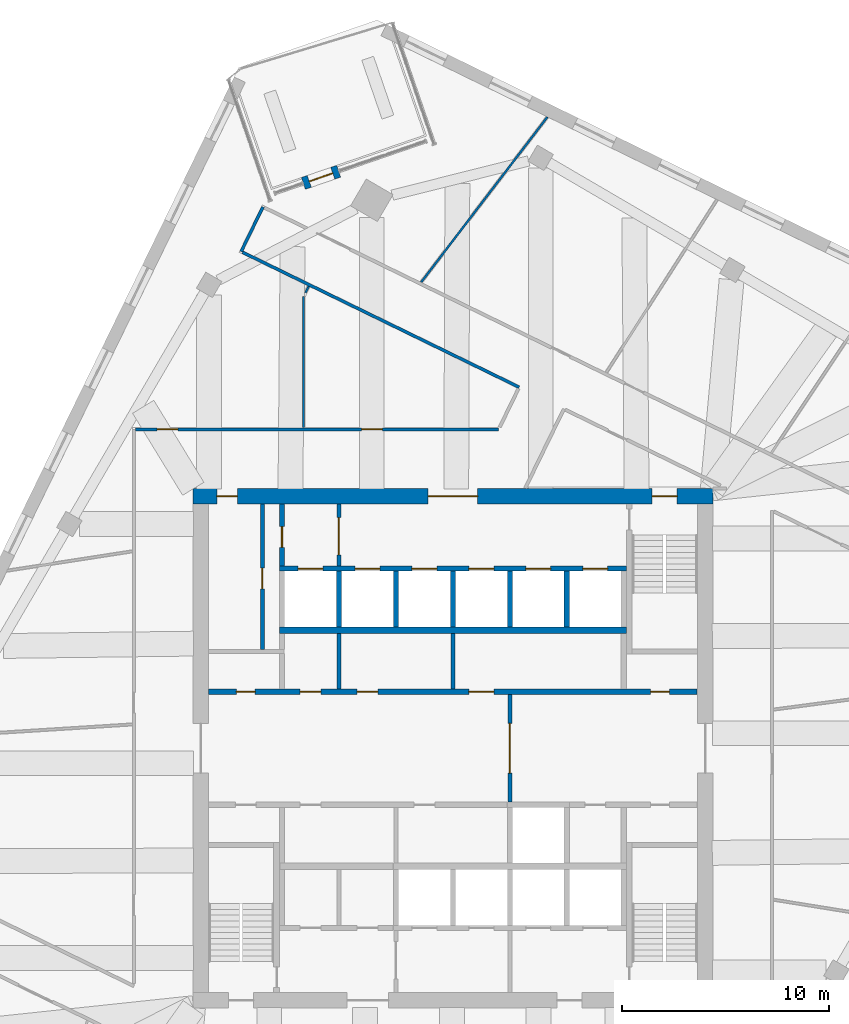
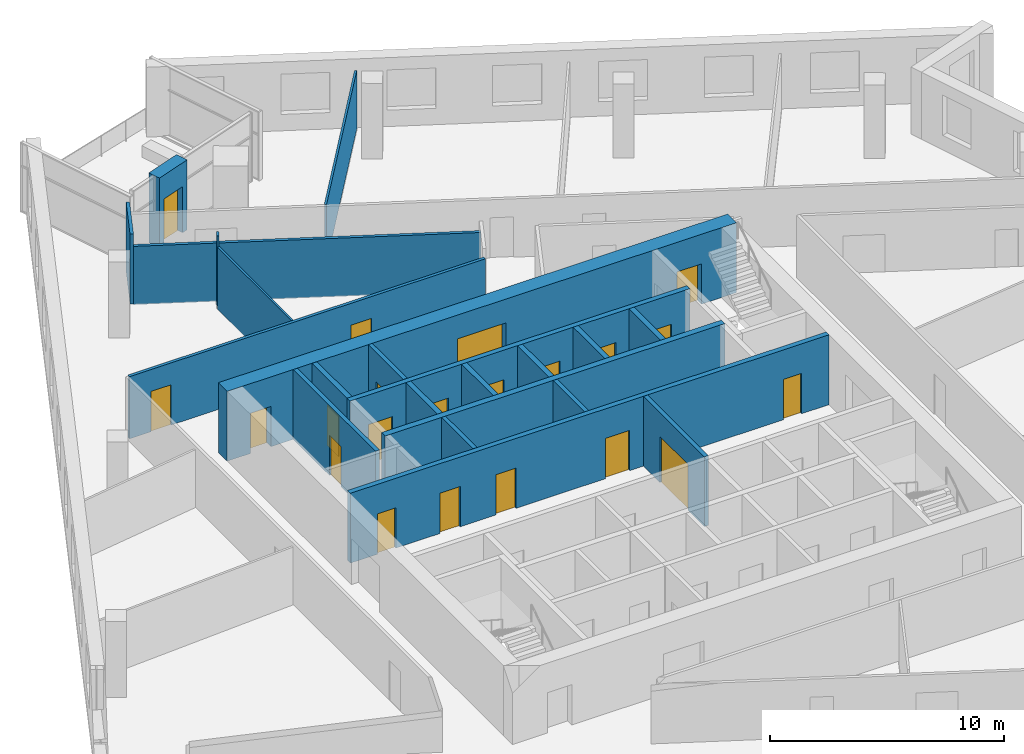
# One storey, part 9 of 13: 22 walls, 21 doors, 21 openings.
"""IFC4 building model written with IfcOpenShell, lengths in metres."""

from ifc_helpers import new_model, si_unit, direction, frame, frame_2d, origin, place, context, subcontext, project, spatial, rectangle, extrude, material, layer, layer_set, type_object, element, fill, save


model = new_model("IFC4")

# Units and contexts
model_context = context("Model", 3, precision=1e-05, world=origin(), true_north=direction((0.0, 1.0)))
body_context = subcontext(model_context, "Body", "Model", "MODEL_VIEW")
ifc_project = project(units=[si_unit("LENGTHUNIT", "METRE"), si_unit("AREAUNIT", "SQUARE_METRE"), si_unit("VOLUMEUNIT", "CUBIC_METRE"), si_unit("PLANEANGLEUNIT", "RADIAN"), si_unit("MASSUNIT", "GRAM", prefix="KILO")], contexts=[model_context])

# Site, building, storey
site_placement = place(None, origin())
site = spatial("IfcSite", under=ifc_project, at=site_placement, CompositionType="ELEMENT")
building_placement = place(site_placement, origin())
building = spatial("IfcBuilding", under=site, at=building_placement, Name="Dilmun Exchange Tower", CompositionType="ELEMENT")
storey_placement = place(building_placement, frame((0.0, 0.0, 286.89990234375)))
storey = spatial("IfcBuildingStorey", under=building, at=storey_placement, Name="L68", CompositionType="ELEMENT", Elevation=286.89990234375)

# Wall, opening, door
ifc_material_1 = material(Name="Concrete C40/50", Category="concrete")
ifc_layer_1 = layer(ifc_material_1, 0.199951171875)
ifc_layer_set_1 = layer_set([ifc_layer_1], Name="Concrete C40/50")
wall_type_1 = type_object("IfcWallType", Name="Core partition wall 200", PredefinedType="PARTITIONING", material=ifc_layer_set_1)
wall_1_placement = place(storey_placement, frame((2.75, -2.594970703125, 0.0), z_axis=(0.0, 0.0, 1.0), x_axis=(0.0, 1.0, 0.0)))
wall_1 = element("IfcWall", 1, at=wall_1_placement, inside=storey, type_object=wall_type_1, Name="L68 core partition wall 12", PredefinedType="PARTITIONING", context=body_context, shape_type="SweptSolid", body=[
    extrude(rectangle(XDim=5.18994140625, YDim=0.199951171875, at=frame_2d((2.594970703125, 0.0))), origin(), (0.0, 0.0, 1.0), 3.64013671875),
])
opening_1_placement = place(wall_1_placement, frame((1.39501953125, 0.0, 0.0)))
opening_1 = element("IfcOpeningElement", 2, at=opening_1_placement, cuts=wall_1, Name="Opening CD1", PredefinedType="OPENING", context=body_context, shape_type="SweptSolid", body=[
    extrude(rectangle(XDim=2.39990234375, YDim=2.39990234375, at=frame_2d((1.199951171875, 1.199951171875))), frame((0.0, 0.10986328125, 0.0), z_axis=(0.0, -1.0, 0.0), x_axis=(1.0, 0.0, 0.0)), (0.0, 0.0, 1.0), 0.219970703125),
])
ifc_material_2 = material(Name="Fire-rated steel door set", Category="steel")
door_type_1 = type_object("IfcDoorType", Name="Core lobby door 2400x2400", OperationType="DOUBLE_DOOR_DOUBLE_SWING", PredefinedType="DOOR", material=ifc_material_2)
door_1_placement = place(opening_1_placement, origin())
door_1 = element("IfcDoor", 3, at=door_1_placement, inside=storey, type_object=door_type_1, Name="L68 door Lift lobby east", OperationType="SINGLE_SWING_LEFT", OverallHeight=2.39990234375, OverallWidth=2.39990234375, PredefinedType="DOOR", context=body_context, shape_type="SweptSolid", body=[
    extrude(rectangle(XDim=2.39990234375, YDim=2.39990234375, at=frame_2d((1.199951171875, 1.199951171875))), frame((0.0, 0.02490234375, 0.0), z_axis=(0.0, -1.0, 0.0), x_axis=(1.0, 0.0, 0.0)), (0.0, 0.0, 1.0), 0.050048828125),
])
fill(opening_1, door_1)

# Walls
for number, where, z_axis, x_axis, name in (
    (4, (-5.5, 2.85498046875, 0.0), (0.0, 0.0, 1.0), (0.0, 1.0, 0.0), "L68 core partition wall 15"),
    (5, (0.0, 2.85498046875, 0.0), (0.0, 0.0, 1.0), (0.0, 1.0, 0.0), "L68 core partition wall 16"),
):
    element("IfcWall", number, at=place(storey_placement, frame(where, z_axis=z_axis, x_axis=x_axis)), inside=storey, type_object=wall_type_1, Name=name, PredefinedType="PARTITIONING", context=body_context, shape_type="SweptSolid", body=[
        extrude(rectangle(XDim=2.68994140625, YDim=0.199951171875, at=frame_2d((1.344970703125, 0.0))), origin(), (0.0, 0.0, 1.0), 3.64013671875),
    ])

# Wall, opening, door
wall_2_placement = place(storey_placement, frame((-9.199951171875, 4.780029296875, 0.0), z_axis=(0.0, 0.0, 1.0), x_axis=(0.0, 1.0, 0.0)))
wall_2 = element("IfcWall", 6, at=wall_2_placement, inside=storey, type_object=wall_type_1, Name="L68 core partition wall 19", PredefinedType="PARTITIONING", context=body_context, shape_type="SweptSolid", body=[
    extrude(rectangle(XDim=7.014892578125, YDim=0.199951171875, at=frame_2d((3.50732421875, 0.0))), origin(), (0.0, 0.0, 1.0), 3.64013671875),
])
opening_2_placement = place(wall_2_placement, frame((2.919921875, 0.0, 0.0)))
opening_2 = element("IfcOpeningElement", 7, at=opening_2_placement, cuts=wall_2, Name="Opening CD4", PredefinedType="OPENING", context=body_context, shape_type="SweptSolid", body=[
    extrude(rectangle(XDim=1.0, YDim=2.10009765625, at=frame_2d((0.5, 1.050048828125))), frame((0.0, 0.10986328125, 0.0), z_axis=(0.0, -1.0, 0.0), x_axis=(1.0, 0.0, 0.0)), (0.0, 0.0, 1.0), 0.219970703125),
])
door_type_2 = type_object("IfcDoorType", Name="Core room door 1000x2100", OperationType="SINGLE_SWING_LEFT", PredefinedType="DOOR", material=ifc_material_2)
door_2_placement = place(opening_2_placement, origin())
door_2 = element("IfcDoor", 8, at=door_2_placement, inside=storey, type_object=door_type_2, Name="L68 door Fire safety store", OperationType="SINGLE_SWING_LEFT", OverallHeight=2.10009765625, OverallWidth=1.0, PredefinedType="DOOR", context=body_context, shape_type="SweptSolid", body=[
    extrude(rectangle(XDim=1.0, YDim=2.10009765625, at=frame_2d((0.5, 1.050048828125))), frame((0.0, 0.02490234375, 0.0), z_axis=(0.0, -1.0, 0.0), x_axis=(1.0, 0.0, 0.0)), (0.0, 0.0, 1.0), 0.050048828125),
])
fill(opening_2, door_2)

wall_3_placement = place(storey_placement, frame((-5.5, 8.804931640625, 0.0), z_axis=(0.0, 0.0, 1.0), x_axis=(0.0, 1.0, 0.0)))
wall_3 = element("IfcWall", 9, at=wall_3_placement, inside=storey, type_object=wall_type_1, Name="L68 core partition wall 22", PredefinedType="PARTITIONING", context=body_context, shape_type="SweptSolid", body=[
    extrude(rectangle(XDim=2.989990234375, YDim=0.199951171875, at=frame_2d((1.4951171875, 0.0))), origin(), (0.0, 0.0, 1.0), 3.64013671875),
])
opening_3_placement = place(wall_3_placement, frame((0.532470703125, 0.0, 0.0)))
opening_3 = element("IfcOpeningElement", 10, at=opening_3_placement, cuts=wall_3, Name="Opening CD5", PredefinedType="OPENING", context=body_context, shape_type="SweptSolid", body=[
    extrude(rectangle(XDim=1.800048828125, YDim=2.10009765625, at=frame_2d((0.89990234375, 1.050048828125))), frame((0.0, 0.10986328125, 0.0), z_axis=(0.0, -1.0, 0.0), x_axis=(1.0, 0.0, 0.0)), (0.0, 0.0, 1.0), 0.219970703125),
])
door_type_3 = type_object("IfcDoorType", Name="Stair exit door 1800x2100", OperationType="SINGLE_SWING_LEFT", PredefinedType="DOOR", material=ifc_material_2)
door_3_placement = place(opening_3_placement, origin())
door_3 = element("IfcDoor", 11, at=door_3_placement, inside=storey, type_object=door_type_3, Name="L68 door Lift lobby east", OperationType="SINGLE_SWING_LEFT", OverallHeight=2.10009765625, OverallWidth=1.800048828125, PredefinedType="DOOR", context=body_context, shape_type="SweptSolid", body=[
    extrude(rectangle(XDim=1.800048828125, YDim=2.10009765625, at=frame_2d((0.89990234375, 1.050048828125))), frame((0.0, 0.02490234375, 0.0), z_axis=(0.0, -1.0, 0.0), x_axis=(1.0, 0.0, 0.0)), (0.0, 0.0, 1.0), 0.050048828125),
])
fill(opening_3, door_3)

# Wall, openings, doors
ifc_layer_2 = layer(ifc_material_1, 0.25)
ifc_layer_set_2 = layer_set([ifc_layer_2], Name="Concrete C40/50")
wall_type_2 = type_object("IfcWallType", Name="Core partition wall 250", PredefinedType="PARTITIONING", material=ifc_layer_set_2)
wall_4_placement = place(storey_placement, frame((-11.794921875, 2.72509765625, 0.0), z_axis=(0.0, 0.0, 1.0), x_axis=(1.0, 0.0, 0.0)))
wall_4 = element("IfcWall", 12, at=wall_4_placement, inside=storey, type_object=wall_type_2, Name="L68 core partition wall 13", PredefinedType="PARTITIONING", context=body_context, shape_type="SweptSolid", body=[
    extrude(rectangle(XDim=23.58984375, YDim=0.25, at=frame_2d((11.794921875, 0.0))), origin(), (0.0, 0.0, 1.0), 3.64013671875),
])
opening_4_placement = place(wall_4_placement, frame((21.344970703125, 0.0, 0.0)))
opening_4 = element("IfcOpeningElement", 13, at=opening_4_placement, cuts=wall_4, Name="Opening CD6", PredefinedType="OPENING", context=body_context, shape_type="SweptSolid", body=[
    extrude(rectangle(XDim=0.89990234375, YDim=2.10009765625, at=frame_2d((0.449951171875, 1.050048828125))), frame((0.0, 0.135009765625, 0.0), z_axis=(0.0, -1.0, 0.0), x_axis=(1.0, 0.0, 0.0)), (0.0, 0.0, 1.0), 0.27001953125),
])
opening_5_placement = place(wall_4_placement, frame((1.344970703125, 0.0, 0.0)))
opening_5 = element("IfcOpeningElement", 14, at=opening_5_placement, cuts=wall_4, Name="Opening CD6", PredefinedType="OPENING", context=body_context, shape_type="SweptSolid", body=[
    extrude(rectangle(XDim=0.89990234375, YDim=2.10009765625, at=frame_2d((0.449951171875, 1.050048828125))), frame((0.0, 0.135009765625, 0.0), z_axis=(0.0, -1.0, 0.0), x_axis=(1.0, 0.0, 0.0)), (0.0, 0.0, 1.0), 0.27001953125),
])
opening_6_placement = place(wall_4_placement, frame((4.419921875, 0.0, 0.0)))
opening_6 = element("IfcOpeningElement", 15, at=opening_6_placement, cuts=wall_4, Name="Opening CD4", PredefinedType="OPENING", context=body_context, shape_type="SweptSolid", body=[
    extrude(rectangle(XDim=1.0, YDim=2.10009765625, at=frame_2d((0.5, 1.050048828125))), frame((0.0, 0.135009765625, 0.0), z_axis=(0.0, -1.0, 0.0), x_axis=(1.0, 0.0, 0.0)), (0.0, 0.0, 1.0), 0.27001953125),
])
opening_7_placement = place(wall_4_placement, frame((7.169921875, 0.0, 0.0)))
opening_7 = element("IfcOpeningElement", 16, at=opening_7_placement, cuts=wall_4, Name="Opening CD4", PredefinedType="OPENING", context=body_context, shape_type="SweptSolid", body=[
    extrude(rectangle(XDim=1.0, YDim=2.10009765625, at=frame_2d((0.5, 1.050048828125))), frame((0.0, 0.135009765625, 0.0), z_axis=(0.0, -1.0, 0.0), x_axis=(1.0, 0.0, 0.0)), (0.0, 0.0, 1.0), 0.27001953125),
])
opening_8_placement = place(wall_4_placement, frame((12.570068359375, 0.0, 0.0)))
opening_8 = element("IfcOpeningElement", 17, at=opening_8_placement, cuts=wall_4, Name="Opening CD3", PredefinedType="OPENING", context=body_context, shape_type="SweptSolid", body=[
    extrude(rectangle(XDim=1.199951171875, YDim=2.10009765625, at=frame_2d((0.60009765625, 1.050048828125))), frame((0.0, 0.135009765625, 0.0), z_axis=(0.0, -1.0, 0.0), x_axis=(1.0, 0.0, 0.0)), (0.0, 0.0, 1.0), 0.27001953125),
])
door_4_placement = place(opening_6_placement, origin())
door_4 = element("IfcDoor", 18, at=door_4_placement, inside=storey, type_object=door_type_2, Name="L68 door Electrical room", OperationType="SINGLE_SWING_LEFT", OverallHeight=2.10009765625, OverallWidth=1.0, PredefinedType="DOOR", context=body_context, shape_type="SweptSolid", body=[
    extrude(rectangle(XDim=1.0, YDim=2.10009765625, at=frame_2d((0.5, 1.050048828125))), frame((0.0, 0.02490234375, 0.0), z_axis=(0.0, -1.0, 0.0), x_axis=(1.0, 0.0, 0.0)), (0.0, 0.0, 1.0), 0.050048828125),
])
fill(opening_6, door_4)
door_5_placement = place(opening_7_placement, origin())
door_5 = element("IfcDoor", 19, at=door_5_placement, inside=storey, type_object=door_type_2, Name="L68 door Tenant services room", OperationType="SINGLE_SWING_LEFT", OverallHeight=2.10009765625, OverallWidth=1.0, PredefinedType="DOOR", context=body_context, shape_type="SweptSolid", body=[
    extrude(rectangle(XDim=1.0, YDim=2.10009765625, at=frame_2d((0.5, 1.050048828125))), frame((0.0, 0.02490234375, 0.0), z_axis=(0.0, -1.0, 0.0), x_axis=(1.0, 0.0, 0.0)), (0.0, 0.0, 1.0), 0.050048828125),
])
fill(opening_7, door_5)
door_type_4 = type_object("IfcDoorType", Name="Core room door 900x2100", OperationType="SINGLE_SWING_LEFT", PredefinedType="DOOR", material=ifc_material_2)
door_6_placement = place(opening_4_placement, origin())
door_6 = element("IfcDoor", 20, at=door_6_placement, inside=storey, type_object=door_type_4, Name="L68 door Electrical riser", OperationType="SINGLE_SWING_LEFT", OverallHeight=2.10009765625, OverallWidth=0.89990234375, PredefinedType="DOOR", context=body_context, shape_type="SweptSolid", body=[
    extrude(rectangle(XDim=0.89990234375, YDim=2.10009765625, at=frame_2d((0.449951171875, 1.050048828125))), frame((0.0, 0.02490234375, 0.0), z_axis=(0.0, -1.0, 0.0), x_axis=(1.0, 0.0, 0.0)), (0.0, 0.0, 1.0), 0.050048828125),
])
fill(opening_4, door_6)
door_7_placement = place(opening_5_placement, origin())
door_7 = element("IfcDoor", 21, at=door_7_placement, inside=storey, type_object=door_type_4, Name="L68 door Plumbing riser", OperationType="SINGLE_SWING_LEFT", OverallHeight=2.10009765625, OverallWidth=0.89990234375, PredefinedType="DOOR", context=body_context, shape_type="SweptSolid", body=[
    extrude(rectangle(XDim=0.89990234375, YDim=2.10009765625, at=frame_2d((0.449951171875, 1.050048828125))), frame((0.0, 0.02490234375, 0.0), z_axis=(0.0, -1.0, 0.0), x_axis=(1.0, 0.0, 0.0)), (0.0, 0.0, 1.0), 0.050048828125),
])
fill(opening_5, door_7)
door_type_5 = type_object("IfcDoorType", Name="Stair exit door 1200x2100", OperationType="SINGLE_SWING_LEFT", PredefinedType="DOOR", material=ifc_material_2)
door_8_placement = place(opening_8_placement, origin())
door_8 = element("IfcDoor", 22, at=door_8_placement, inside=storey, type_object=door_type_5, Name="L68 door Tenant amenity store", OperationType="SINGLE_SWING_LEFT", OverallHeight=2.10009765625, OverallWidth=1.199951171875, PredefinedType="DOOR", context=body_context, shape_type="SweptSolid", body=[
    extrude(rectangle(XDim=1.199951171875, YDim=2.10009765625, at=frame_2d((0.60009765625, 1.050048828125))), frame((0.0, 0.02490234375, 0.0), z_axis=(0.0, -1.0, 0.0), x_axis=(1.0, 0.0, 0.0)), (0.0, 0.0, 1.0), 0.050048828125),
])
fill(opening_8, door_8)

# Wall, opening, door
wall_5_placement = place(storey_placement, frame((-8.25, 8.804931640625, 0.0), z_axis=(0.0, 0.0, 1.0), x_axis=(0.0, 1.0, 0.0)))
wall_5 = element("IfcWall", 23, at=wall_5_placement, inside=storey, type_object=wall_type_2, Name="L68 core partition wall 21", PredefinedType="PARTITIONING", context=body_context, shape_type="SweptSolid", body=[
    extrude(rectangle(XDim=2.989990234375, YDim=0.25, at=frame_2d((1.4951171875, 0.0))), origin(), (0.0, 0.0, 1.0), 3.64013671875),
])
opening_9_placement = place(wall_5_placement, frame((0.89501953125, 0.0, 0.0)))
opening_9 = element("IfcOpeningElement", 24, at=opening_9_placement, cuts=wall_5, Name="Opening CD4", PredefinedType="OPENING", context=body_context, shape_type="SweptSolid", body=[
    extrude(rectangle(XDim=1.0, YDim=2.10009765625, at=frame_2d((0.5, 1.050048828125))), frame((0.0, 0.135009765625, 0.0), z_axis=(0.0, -1.0, 0.0), x_axis=(1.0, 0.0, 0.0)), (0.0, 0.0, 1.0), 0.27001953125),
])
door_9_placement = place(opening_9_placement, origin())
door_9 = element("IfcDoor", 25, at=door_9_placement, inside=storey, type_object=door_type_2, Name="L68 door Tenant services room", OperationType="SINGLE_SWING_LEFT", OverallHeight=2.10009765625, OverallWidth=1.0, PredefinedType="DOOR", context=body_context, shape_type="SweptSolid", body=[
    extrude(rectangle(XDim=1.0, YDim=2.10009765625, at=frame_2d((0.5, 1.050048828125))), frame((0.0, 0.02490234375, 0.0), z_axis=(0.0, -1.0, 0.0), x_axis=(1.0, 0.0, 0.0)), (0.0, 0.0, 1.0), 0.050048828125),
])
fill(opening_9, door_9)

# Wall, openings, doors
ifc_material_3 = material(Name="Concrete C50/60", Category="concrete")
ifc_layer_3 = layer(ifc_material_3, 0.75)
ifc_layer_set_3 = layer_set([ifc_layer_3], Name="Concrete C50/60")
wall_type_3 = type_object("IfcWallType", Name="Core shear wall 750 Concrete C50/60", PredefinedType="SHEAR", material=ifc_layer_set_3)
wall_6_placement = place(storey_placement, frame((-12.550048828125, 12.175048828125, 0.0), z_axis=(0.0, 0.0, 1.0), x_axis=(1.0, 0.0, 0.0)))
wall_6 = element("IfcWall", 26, at=wall_6_placement, inside=storey, type_object=wall_type_3, Name="L68 core shear wall N", PredefinedType="SHEAR", context=body_context, shape_type="SweptSolid", body=[
    extrude(rectangle(XDim=25.10009765625, YDim=0.75, at=frame_2d((12.550048828125, 0.0))), origin(), (0.0, 0.0, 1.0), 3.64013671875),
])
opening_10_placement = place(wall_6_placement, frame((11.35009765625, 0.0, 0.0)))
opening_10 = element("IfcOpeningElement", 27, at=opening_10_placement, cuts=wall_6, Name="Opening CD1", PredefinedType="OPENING", context=body_context, shape_type="SweptSolid", body=[
    extrude(rectangle(XDim=2.39990234375, YDim=2.39990234375, at=frame_2d((1.199951171875, 1.199951171875))), frame((0.0, 0.385009765625, 0.0), z_axis=(0.0, -1.0, 0.0), x_axis=(1.0, 0.0, 0.0)), (0.0, 0.0, 1.0), 0.77001953125),
])
opening_11_placement = place(wall_6_placement, frame((22.175048828125, 0.0, 0.0)))
opening_11 = element("IfcOpeningElement", 28, at=opening_11_placement, cuts=wall_6, Name="Opening CD3", PredefinedType="OPENING", context=body_context, shape_type="SweptSolid", body=[
    extrude(rectangle(XDim=1.199951171875, YDim=2.10009765625, at=frame_2d((0.60009765625, 1.050048828125))), frame((0.0, 0.385009765625, 0.0), z_axis=(0.0, -1.0, 0.0), x_axis=(1.0, 0.0, 0.0)), (0.0, 0.0, 1.0), 0.77001953125),
])
opening_12_placement = place(wall_6_placement, frame((1.14990234375, 0.0, 0.0)))
opening_12 = element("IfcOpeningElement", 29, at=opening_12_placement, cuts=wall_6, Name="Opening CD4", PredefinedType="OPENING", context=body_context, shape_type="SweptSolid", body=[
    extrude(rectangle(XDim=1.0, YDim=2.10009765625, at=frame_2d((0.5, 1.050048828125))), frame((0.0, 0.385009765625, 0.0), z_axis=(0.0, -1.0, 0.0), x_axis=(1.0, 0.0, 0.0)), (0.0, 0.0, 1.0), 0.77001953125),
])
door_10_placement = place(opening_10_placement, origin())
door_10 = element("IfcDoor", 30, at=door_10_placement, inside=storey, type_object=door_type_1, Name="L68 door North lift lobby", OperationType="SINGLE_SWING_LEFT", OverallHeight=2.39990234375, OverallWidth=2.39990234375, PredefinedType="DOOR", context=body_context, shape_type="SweptSolid", body=[
    extrude(rectangle(XDim=2.39990234375, YDim=2.39990234375, at=frame_2d((1.199951171875, 1.199951171875))), frame((0.0, 0.02490234375, 0.0), z_axis=(0.0, -1.0, 0.0), x_axis=(1.0, 0.0, 0.0)), (0.0, 0.0, 1.0), 0.050048828125),
])
fill(opening_10, door_10)
door_11_placement = place(opening_12_placement, origin())
door_11 = element("IfcDoor", 31, at=door_11_placement, inside=storey, type_object=door_type_2, Name="L68 door North-west core rooms", OperationType="SINGLE_SWING_LEFT", OverallHeight=2.10009765625, OverallWidth=1.0, PredefinedType="DOOR", context=body_context, shape_type="SweptSolid", body=[
    extrude(rectangle(XDim=1.0, YDim=2.10009765625, at=frame_2d((0.5, 1.050048828125))), frame((0.0, 0.02490234375, 0.0), z_axis=(0.0, -1.0, 0.0), x_axis=(1.0, 0.0, 0.0)), (0.0, 0.0, 1.0), 0.050048828125),
])
fill(opening_12, door_11)
door_12_placement = place(opening_11_placement, origin())
door_12 = element("IfcDoor", 32, at=door_12_placement, inside=storey, type_object=door_type_5, Name="L68 door Stair ST1", OperationType="SINGLE_SWING_LEFT", OverallHeight=2.10009765625, OverallWidth=1.199951171875, PredefinedType="DOOR", context=body_context, shape_type="SweptSolid", body=[
    extrude(rectangle(XDim=1.199951171875, YDim=2.10009765625, at=frame_2d((0.60009765625, 1.050048828125))), frame((0.0, 0.02490234375, 0.0), z_axis=(0.0, -1.0, 0.0), x_axis=(1.0, 0.0, 0.0)), (0.0, 0.0, 1.0), 0.050048828125),
])
fill(opening_11, door_12)

ifc_material_4 = material(Name="Corridor wall 150")
ifc_layer_4 = layer(ifc_material_4, 0.14990234375)
ifc_layer_set_4 = layer_set([ifc_layer_4], Name="Corridor wall 150")
wall_type_4 = type_object("IfcWallType", Name="Corridor wall 150", PredefinedType="PARTITIONING", material=ifc_layer_set_4)
wall_7_placement = place(storey_placement, frame((-15.324951171875, 15.39990234375, 0.0), z_axis=(0.0, 0.0, 1.0), x_axis=(1.0, 0.0, 0.0)))
wall_7 = element("IfcWall", 33, at=wall_7_placement, inside=storey, type_object=wall_type_4, Name="Corridor wall", PredefinedType="PARTITIONING", context=body_context, shape_type="SweptSolid", body=[
    extrude(rectangle(XDim=17.534912109375, YDim=0.14990234375, at=frame_2d((8.767578125, 0.0))), origin(), (0.0, 0.0, 1.0), 3.239990234375),
])
opening_13_placement = place(wall_7_placement, frame((1.050048828125, 0.0, 0.0)))
opening_13 = element("IfcOpeningElement", 34, at=opening_13_placement, cuts=wall_7, Name="Opening TF67-D06", PredefinedType="OPENING", context=body_context, shape_type="SweptSolid", body=[
    extrude(rectangle(XDim=1.0, YDim=2.10009765625, at=frame_2d((0.5, 1.050048828125))), frame((0.0, 0.0849609375, 0.0), z_axis=(0.0, -1.0, 0.0), x_axis=(1.0, 0.0, 0.0)), (0.0, 0.0, 1.0), 0.169921875),
])
opening_14_placement = place(wall_7_placement, frame((10.915283203125, 0.0, 0.0)))
opening_14 = element("IfcOpeningElement", 35, at=opening_14_placement, cuts=wall_7, Name="Opening TF67-D08", PredefinedType="OPENING", context=body_context, shape_type="SweptSolid", body=[
    extrude(rectangle(XDim=1.0, YDim=2.10009765625, at=frame_2d((0.5, 1.050048828125))), frame((0.0, 0.0849609375, 0.0), z_axis=(0.0, -1.0, 0.0), x_axis=(1.0, 0.0, 0.0)), (0.0, 0.0, 1.0), 0.169921875),
])
ifc_material_5 = material(Name="Fire door 1000 x 2100")
door_type_6 = type_object("IfcDoorType", Name="Fire door 1000 x 2100", OperationType="NOTDEFINED", PredefinedType="DOOR", material=ifc_material_5)
door_13_placement = place(opening_13_placement, origin())
door_13 = element("IfcDoor", 36, at=door_13_placement, inside=storey, type_object=door_type_6, Name="Door TF67-D06", OperationType="SINGLE_SWING_LEFT", OverallHeight=2.10009765625, OverallWidth=1.0, PredefinedType="DOOR", context=body_context, shape_type="SweptSolid", body=[
    extrude(rectangle(XDim=1.0, YDim=2.10009765625, at=frame_2d((0.5, 1.050048828125))), frame((0.0, 0.02490234375, 0.0), z_axis=(0.0, -1.0, 0.0), x_axis=(1.0, 0.0, 0.0)), (0.0, 0.0, 1.0), 0.050048828125),
])
fill(opening_13, door_13)
door_14_placement = place(opening_14_placement, origin())
door_14 = element("IfcDoor", 37, at=door_14_placement, inside=storey, type_object=door_type_6, Name="Door TF67-D08", OperationType="SINGLE_SWING_RIGHT", OverallHeight=2.10009765625, OverallWidth=1.0, PredefinedType="DOOR", context=body_context, shape_type="SweptSolid", body=[
    extrude(rectangle(XDim=1.0, YDim=2.10009765625, at=frame_2d((0.5, 1.050048828125))), frame((0.0, 0.02490234375, 0.0), z_axis=(0.0, -1.0, 0.0), x_axis=(1.0, 0.0, 0.0)), (0.0, 0.0, 1.0), 0.050048828125),
])
fill(opening_14, door_14)

# Walls
wall_8_placement = place(storey_placement, frame((-10.222900390625, 23.97998046875, 0.0), z_axis=(0.0, 0.0, 1.0), x_axis=(0.438361496965, 0.898798752769, 0.0)))
element("IfcWall", 38, at=wall_8_placement, inside=storey, type_object=wall_type_4, Name="Corridor wall", PredefinedType="PARTITIONING", context=body_context, shape_type="SweptSolid", body=[
    extrude(rectangle(XDim=2.39990234375, YDim=0.14990234375, at=frame_2d((1.199951171875, 0.0))), origin(), (0.0, 0.0, 1.0), 3.64013671875),
])
wall_9_placement = place(storey_placement, frame((-10.155517578125, 23.947021484375, 0.0), z_axis=(0.0, 0.0, 1.0), x_axis=(0.898773813872, -0.438412626983, 0.0)))
element("IfcWall", 39, at=wall_9_placement, inside=storey, type_object=wall_type_4, Name="Corridor wall", PredefinedType="PARTITIONING", context=body_context, shape_type="SweptSolid", body=[
    extrude(rectangle(XDim=14.86083984375, YDim=0.14990234375, at=frame_2d((7.430419921875, 0.0))), origin(), (0.0, 0.0, 1.0), 3.0400390625),
])
ifc_layer_5 = layer(ifc_material_1, 0.300048828125)
ifc_layer_set_5 = layer_set([ifc_layer_5], Name="Concrete C40/50")
wall_type_5 = type_object("IfcWallType", Name="Lift shaft shared wall 300", PredefinedType="SOLIDWALL", material=ifc_layer_set_5)
wall_10_placement = place(storey_placement, frame((-8.375, 5.699951171875, 0.0), z_axis=(0.0, 0.0, 1.0), x_axis=(1.0, 0.0, 0.0)))
element("IfcWall", 40, at=wall_10_placement, inside=storey, type_object=wall_type_5, Name="L68 lift shaft rear wall N", PredefinedType="SOLIDWALL", context=body_context, shape_type="SweptSolid", body=[
    extrude(rectangle(XDim=16.75, YDim=0.300048828125, at=frame_2d((8.375, 0.0))), origin(), (0.0, 0.0, 1.0), 3.64013671875),
])

# Wall, openings, doors
ifc_layer_6 = layer(ifc_material_1, 0.25)
ifc_layer_set_6 = layer_set([ifc_layer_6], Name="Concrete C40/50")
wall_type_6 = type_object("IfcWallType", Name="Lift shaft wall 250", PredefinedType="SOLIDWALL", material=ifc_layer_set_6)
wall_11_placement = place(storey_placement, frame((-8.375, 8.675048828125, 0.0), z_axis=(0.0, 0.0, 1.0), x_axis=(1.0, 0.0, 0.0)))
wall_11 = element("IfcWall", 41, at=wall_11_placement, inside=storey, type_object=wall_type_6, Name="L68 lift shaft front wall N2", PredefinedType="SOLIDWALL", context=body_context, shape_type="SweptSolid", body=[
    extrude(rectangle(XDim=16.75, YDim=0.25, at=frame_2d((8.375, 0.0))), origin(), (0.0, 0.0, 1.0), 3.64013671875),
])
opening_15_placement = place(wall_11_placement, frame((0.89990234375, 0.0, 0.0)))
opening_15 = element("IfcOpeningElement", 42, at=opening_15_placement, cuts=wall_11, Name="Opening LD", PredefinedType="OPENING", context=body_context, shape_type="SweptSolid", body=[
    extrude(rectangle(XDim=1.199951171875, YDim=2.10009765625, at=frame_2d((0.60009765625, 1.050048828125))), frame((0.0, 0.135009765625, 0.0), z_axis=(0.0, -1.0, 0.0), x_axis=(1.0, 0.0, 0.0)), (0.0, 0.0, 1.0), 0.27001953125),
])
opening_16_placement = place(wall_11_placement, frame((3.64990234375, 0.0, 0.0)))
opening_16 = element("IfcOpeningElement", 43, at=opening_16_placement, cuts=wall_11, Name="Opening LD", PredefinedType="OPENING", context=body_context, shape_type="SweptSolid", body=[
    extrude(rectangle(XDim=1.199951171875, YDim=2.10009765625, at=frame_2d((0.60009765625, 1.050048828125))), frame((0.0, 0.135009765625, 0.0), z_axis=(0.0, -1.0, 0.0), x_axis=(1.0, 0.0, 0.0)), (0.0, 0.0, 1.0), 0.27001953125),
])
opening_17_placement = place(wall_11_placement, frame((6.39990234375, 0.0, 0.0)))
opening_17 = element("IfcOpeningElement", 44, at=opening_17_placement, cuts=wall_11, Name="Opening LD", PredefinedType="OPENING", context=body_context, shape_type="SweptSolid", body=[
    extrude(rectangle(XDim=1.199951171875, YDim=2.10009765625, at=frame_2d((0.60009765625, 1.050048828125))), frame((0.0, 0.135009765625, 0.0), z_axis=(0.0, -1.0, 0.0), x_axis=(1.0, 0.0, 0.0)), (0.0, 0.0, 1.0), 0.27001953125),
])
opening_18_placement = place(wall_11_placement, frame((9.14990234375, 0.0, 0.0)))
opening_18 = element("IfcOpeningElement", 45, at=opening_18_placement, cuts=wall_11, Name="Opening LD", PredefinedType="OPENING", context=body_context, shape_type="SweptSolid", body=[
    extrude(rectangle(XDim=1.199951171875, YDim=2.10009765625, at=frame_2d((0.60009765625, 1.050048828125))), frame((0.0, 0.135009765625, 0.0), z_axis=(0.0, -1.0, 0.0), x_axis=(1.0, 0.0, 0.0)), (0.0, 0.0, 1.0), 0.27001953125),
])
opening_19_placement = place(wall_11_placement, frame((11.89990234375, 0.0, 0.0)))
opening_19 = element("IfcOpeningElement", 46, at=opening_19_placement, cuts=wall_11, Name="Opening LD", PredefinedType="OPENING", context=body_context, shape_type="SweptSolid", body=[
    extrude(rectangle(XDim=1.199951171875, YDim=2.10009765625, at=frame_2d((0.60009765625, 1.050048828125))), frame((0.0, 0.135009765625, 0.0), z_axis=(0.0, -1.0, 0.0), x_axis=(1.0, 0.0, 0.0)), (0.0, 0.0, 1.0), 0.27001953125),
])
opening_20_placement = place(wall_11_placement, frame((14.64990234375, 0.0, 0.0)))
opening_20 = element("IfcOpeningElement", 47, at=opening_20_placement, cuts=wall_11, Name="Opening LD", PredefinedType="OPENING", context=body_context, shape_type="SweptSolid", body=[
    extrude(rectangle(XDim=1.199951171875, YDim=2.10009765625, at=frame_2d((0.60009765625, 1.050048828125))), frame((0.0, 0.135009765625, 0.0), z_axis=(0.0, -1.0, 0.0), x_axis=(1.0, 0.0, 0.0)), (0.0, 0.0, 1.0), 0.27001953125),
])
door_type_7 = type_object("IfcDoorType", Name="Lift landing door 1200x2100", OperationType="DOUBLE_DOOR_SLIDING", PredefinedType="DOOR", material=ifc_material_2)
door_15_placement = place(opening_15_placement, origin())
door_15 = element("IfcDoor", 48, at=door_15_placement, inside=storey, type_object=door_type_7, Name="L68 landing door HR1", OperationType="DOUBLE_DOOR_SLIDING", OverallHeight=2.10009765625, OverallWidth=1.199951171875, PredefinedType="DOOR", context=body_context, shape_type="SweptSolid", body=[
    extrude(rectangle(XDim=1.199951171875, YDim=2.10009765625, at=frame_2d((0.60009765625, 1.050048828125))), frame((0.0, 0.02490234375, 0.0), z_axis=(0.0, -1.0, 0.0), x_axis=(1.0, 0.0, 0.0)), (0.0, 0.0, 1.0), 0.050048828125),
])
fill(opening_15, door_15)
door_16_placement = place(opening_16_placement, origin())
door_16 = element("IfcDoor", 49, at=door_16_placement, inside=storey, type_object=door_type_7, Name="L68 landing door HR2", OperationType="DOUBLE_DOOR_SLIDING", OverallHeight=2.10009765625, OverallWidth=1.199951171875, PredefinedType="DOOR", context=body_context, shape_type="SweptSolid", body=[
    extrude(rectangle(XDim=1.199951171875, YDim=2.10009765625, at=frame_2d((0.60009765625, 1.050048828125))), frame((0.0, 0.02490234375, 0.0), z_axis=(0.0, -1.0, 0.0), x_axis=(1.0, 0.0, 0.0)), (0.0, 0.0, 1.0), 0.050048828125),
])
fill(opening_16, door_16)
door_17_placement = place(opening_17_placement, origin())
door_17 = element("IfcDoor", 50, at=door_17_placement, inside=storey, type_object=door_type_7, Name="L68 landing door HR3", OperationType="DOUBLE_DOOR_SLIDING", OverallHeight=2.10009765625, OverallWidth=1.199951171875, PredefinedType="DOOR", context=body_context, shape_type="SweptSolid", body=[
    extrude(rectangle(XDim=1.199951171875, YDim=2.10009765625, at=frame_2d((0.60009765625, 1.050048828125))), frame((0.0, 0.02490234375, 0.0), z_axis=(0.0, -1.0, 0.0), x_axis=(1.0, 0.0, 0.0)), (0.0, 0.0, 1.0), 0.050048828125),
])
fill(opening_17, door_17)
door_18_placement = place(opening_18_placement, origin())
door_18 = element("IfcDoor", 51, at=door_18_placement, inside=storey, type_object=door_type_7, Name="L68 landing door HR4", OperationType="DOUBLE_DOOR_SLIDING", OverallHeight=2.10009765625, OverallWidth=1.199951171875, PredefinedType="DOOR", context=body_context, shape_type="SweptSolid", body=[
    extrude(rectangle(XDim=1.199951171875, YDim=2.10009765625, at=frame_2d((0.60009765625, 1.050048828125))), frame((0.0, 0.02490234375, 0.0), z_axis=(0.0, -1.0, 0.0), x_axis=(1.0, 0.0, 0.0)), (0.0, 0.0, 1.0), 0.050048828125),
])
fill(opening_18, door_18)
door_19_placement = place(opening_19_placement, origin())
door_19 = element("IfcDoor", 52, at=door_19_placement, inside=storey, type_object=door_type_7, Name="L68 landing door HR5", OperationType="DOUBLE_DOOR_SLIDING", OverallHeight=2.10009765625, OverallWidth=1.199951171875, PredefinedType="DOOR", context=body_context, shape_type="SweptSolid", body=[
    extrude(rectangle(XDim=1.199951171875, YDim=2.10009765625, at=frame_2d((0.60009765625, 1.050048828125))), frame((0.0, 0.02490234375, 0.0), z_axis=(0.0, -1.0, 0.0), x_axis=(1.0, 0.0, 0.0)), (0.0, 0.0, 1.0), 0.050048828125),
])
fill(opening_19, door_19)
door_20_placement = place(opening_20_placement, origin())
door_20 = element("IfcDoor", 53, at=door_20_placement, inside=storey, type_object=door_type_7, Name="L68 landing door HR6", OperationType="DOUBLE_DOOR_SLIDING", OverallHeight=2.10009765625, OverallWidth=1.199951171875, PredefinedType="DOOR", context=body_context, shape_type="SweptSolid", body=[
    extrude(rectangle(XDim=1.199951171875, YDim=2.10009765625, at=frame_2d((0.60009765625, 1.050048828125))), frame((0.0, 0.02490234375, 0.0), z_axis=(0.0, -1.0, 0.0), x_axis=(1.0, 0.0, 0.0)), (0.0, 0.0, 1.0), 0.050048828125),
])
fill(opening_20, door_20)

# Walls
for number, where, z_axis, x_axis, name in (
    (54, (-5.5, 5.85009765625, 0.0), (0.0, 0.0, 1.0), (0.0, 1.0, 0.0), "L68 lift shaft divider N21"),
    (55, (-2.75, 5.85009765625, 0.0), (0.0, 0.0, 1.0), (0.0, 1.0, 0.0), "L68 lift shaft divider N22"),
    (56, (0.0, 5.85009765625, 0.0), (0.0, 0.0, 1.0), (0.0, 1.0, 0.0), "L68 lift shaft divider N23"),
    (57, (2.75, 5.85009765625, 0.0), (0.0, 0.0, 1.0), (0.0, 1.0, 0.0), "L68 lift shaft divider N24"),
    (58, (5.5, 5.85009765625, 0.0), (0.0, 0.0, 1.0), (0.0, 1.0, 0.0), "L68 lift shaft divider N25"),
):
    element("IfcWall", number, at=place(storey_placement, frame(where, z_axis=z_axis, x_axis=x_axis)), inside=storey, type_object=wall_type_6, Name=name, PredefinedType="SOLIDWALL", context=body_context, shape_type="SweptSolid", body=[
        extrude(rectangle(XDim=2.699951171875, YDim=0.25, at=frame_2d((1.35009765625, 0.0))), origin(), (0.0, 0.0, 1.0), 3.64013671875),
    ])
ifc_material_6 = material(Name="Partition 100")
ifc_layer_7 = layer(ifc_material_6, 0.10009765625)
ifc_layer_set_7 = layer_set([ifc_layer_7], Name="Partition 100")
wall_type_7 = type_object("IfcWallType", Name="Partition 100", PredefinedType="PARTITIONING", material=ifc_layer_set_7)
wall_12_placement = place(storey_placement, frame((-7.2099609375, 15.47509765625, 0.0), z_axis=(0.0, 0.0, 1.0), x_axis=(0.0, 1.0, 0.0)))
element("IfcWall", 59, at=wall_12_placement, inside=storey, type_object=wall_type_7, Name="Partition", PredefinedType="PARTITIONING", context=body_context, shape_type="SweptSolid", body=[
    extrude(rectangle(XDim=6.325927734375, YDim=0.10009765625, at=frame_2d((3.1630859375, 0.0))), origin(), (0.0, 0.0, 1.0), 3.239990234375),
])
wall_13_placement = place(storey_placement, frame((-7.114990234375, 21.995361328125, 0.0), z_axis=(0.0, 0.0, 1.0), x_axis=(0.439020539002, 0.898477026047, 0.0)))
element("IfcWall", 60, at=wall_13_placement, inside=storey, type_object=wall_type_7, Name="Partition", PredefinedType="PARTITIONING", context=body_context, shape_type="SweptSolid", body=[
    extrude(rectangle(XDim=0.346435546875, YDim=0.10009765625, at=frame_2d((0.17333984375, 0.0))), origin(), (0.0, 0.0, 1.0), 3.64013671875),
])
wall_14_placement = place(storey_placement, frame((-1.529296875, 22.50390625, 0.0), z_axis=(0.0, 0.0, 1.0), x_axis=(0.607088982963, 0.794633857046, 0.0)))
element("IfcWall", 61, at=wall_14_placement, inside=storey, type_object=wall_type_7, Name="Partition", PredefinedType="PARTITIONING", context=body_context, shape_type="SweptSolid", body=[
    extrude(rectangle(XDim=10.039306640625, YDim=0.10009765625, at=frame_2d((5.01953125, 0.0))), origin(), (0.0, 0.0, 1.0), 3.0400390625),
])

# Wall, opening, door
ifc_material_7 = material(Name="Precast concrete C50/60", Category="concrete")
ifc_layer_8 = layer(ifc_material_7, 0.60009765625)
ifc_layer_set_8 = layer_set([ifc_layer_8], Name="Precast concrete C50/60")
wall_type_8 = type_object("IfcWallType", Name="Precast stone-clad wall 600", PredefinedType="STANDARD", material=ifc_layer_set_8)
wall_15_placement = place(storey_placement, frame((-5.515380859375, 27.858154296875, 0.0), z_axis=(0.0, 0.0, 1.0), x_axis=(-0.945531426266, -0.32553083102, 0.0)))
wall_15 = element("IfcWall", 62, at=wall_15_placement, inside=storey, type_object=wall_type_8, Name="Facade wall L68-01-D", PredefinedType="STANDARD", context=body_context, shape_type="SweptSolid", body=[
    extrude(rectangle(XDim=1.800048828125, YDim=0.60009765625, at=frame_2d((0.89990234375, 0.0))), origin(), (0.0, 0.0, 1.0), 3.64013671875),
])
opening_21_placement = place(wall_15_placement, frame((0.300048828125, 0.0, 0.0)))
opening_21 = element("IfcOpeningElement", 63, at=opening_21_placement, cuts=wall_15, Name="Opening GD-1", PredefinedType="OPENING", context=body_context, shape_type="SweptSolid", body=[
    extrude(rectangle(XDim=1.199951171875, YDim=2.39990234375, at=frame_2d((0.60009765625, 1.199951171875))), frame((0.0, 0.31005859375, 0.0), z_axis=(0.0, -1.0, 0.0), x_axis=(1.0, 0.0, 0.0)), (0.0, 0.0, 1.0), 0.6201171875),
])
ifc_material_8 = material(Name="Clear low-emissivity glass in aluminium frame", Category="aluminium")
door_type_8 = type_object("IfcDoorType", Name="Glazed garden door 1200 x 2400", OperationType="SINGLE_SWING_LEFT", PredefinedType="DOOR", material=ifc_material_8)
door_21_placement = place(opening_21_placement, origin())
door_21 = element("IfcDoor", 64, at=door_21_placement, inside=storey, type_object=door_type_8, Name="Garden terrace door", OperationType="SINGLE_SWING_LEFT", OverallHeight=2.39990234375, OverallWidth=1.199951171875, PredefinedType="DOOR", context=body_context, shape_type="SweptSolid", body=[
    extrude(rectangle(XDim=1.199951171875, YDim=2.39990234375, at=frame_2d((0.60009765625, 1.199951171875))), frame((0.0, 0.02490234375, 0.0), z_axis=(0.0, -1.0, 0.0), x_axis=(1.0, 0.0, 0.0)), (0.0, 0.0, 1.0), 0.050048828125),
])
fill(opening_21, door_21)

save(model, "model.ifc")
